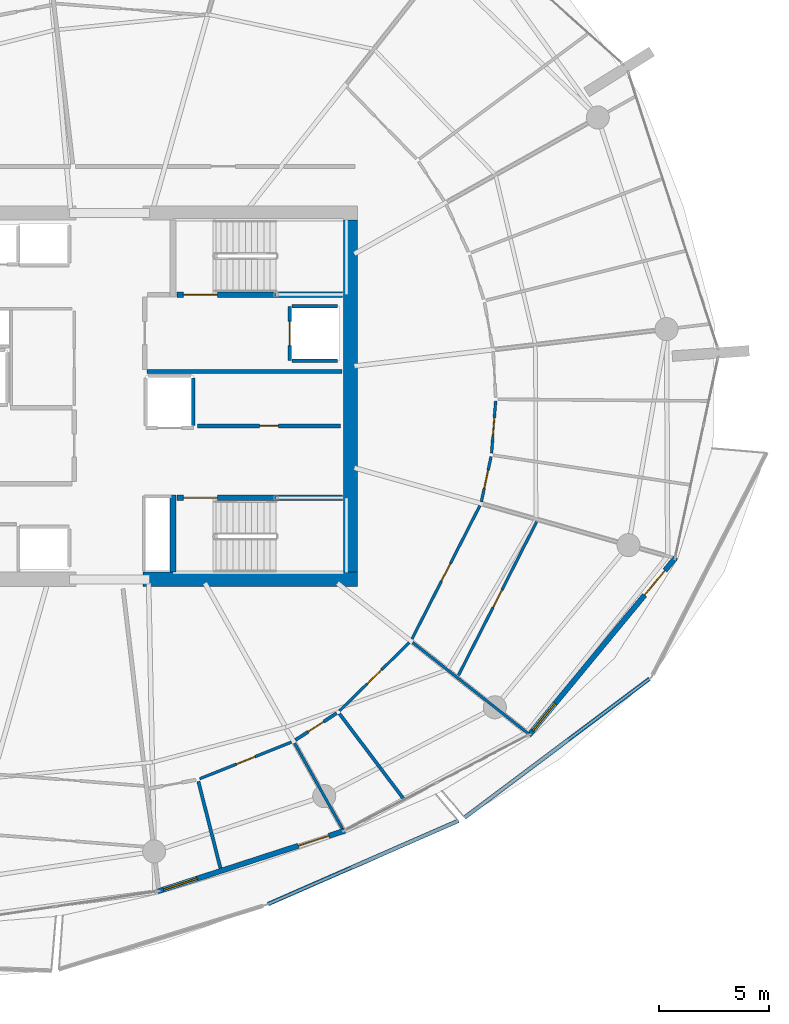
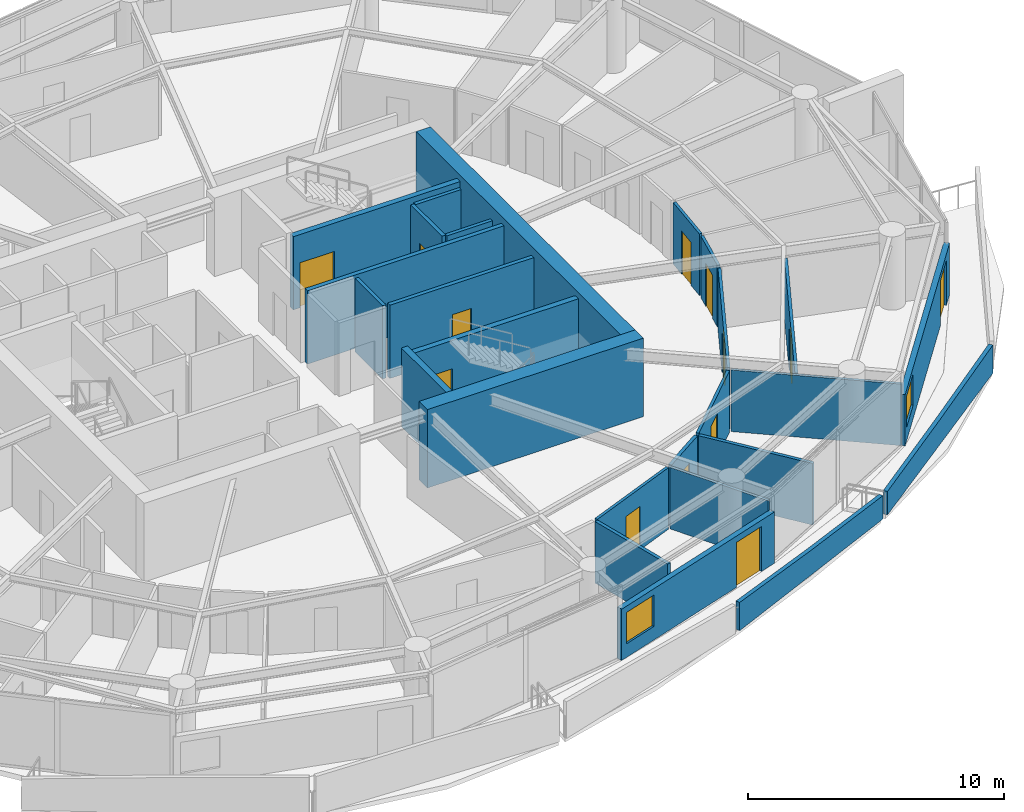
# One storey, part 13 of 20: 26 walls, 13 doors, 2 windows, 15 openings.
"""IFC4 building model written with IfcOpenShell, lengths in metres."""

import ifcopenshell
import ifcopenshell.guid

model = None  # the IFC model being written
_history = None  # IfcOwnerHistory: only IFC2X3 demands one
_inside = {}  # id of a spatial element -> (the spatial element, [elements in it])
_under = {}  # id of a project, library or spatial element -> (it, [spatial elements below it])
_declared = {}  # id of a project -> (the project, [libraries it declares])
_typed = {}  # id of a type object -> (the type object, [elements of that type])
_made_of = {}  # id of a material, layer set ... -> (it, [elements and type objects made of it])


def new_model(schema):
    """Start an empty IFC model of exactly this schema.

    Asked for "IFC4X3", IfcOpenShell would pick the latest addendum, in which some entities
    have other attributes; the version numbers below select the first issue.
    IFC2X3 requires an IfcOwnerHistory on every rooted entity: one is made here for all.
    """
    global model, _history
    if schema == "IFC4X3":
        model = ifcopenshell.file(schema_version=(4, 3, 0, 0))
    else:
        model = ifcopenshell.file(schema=schema)
    _inside.clear()
    _under.clear()
    _declared.clear()
    _typed.clear()
    _made_of.clear()
    _history = None
    if model.schema == "IFC2X3":
        org = make("IfcOrganization", Name="unknown")
        user = make(
            "IfcPersonAndOrganization",
            ThePerson=make("IfcPerson", FamilyName="unknown"),
            TheOrganization=org,
        )
        app = make(
            "IfcApplication",
            ApplicationDeveloper=org,
            Version="unknown",
            ApplicationFullName="unknown",
            ApplicationIdentifier="unknown",
        )
        _history = make(
            "IfcOwnerHistory",
            OwningUser=user,
            OwningApplication=app,
            ChangeAction="ADDED",
            CreationDate=0,
        )
    return model


def make(cls, **values):
    """One entity of the class cls with the attributes given. An attribute that is None is left unset."""
    return model.create_entity(
        cls, **{name: value for name, value in values.items() if value is not None}
    )


def rooted(cls, **values):
    """An entity with a GlobalId (a new one), such as an element, a storey or a relation."""
    return make(cls, GlobalId=ifcopenshell.guid.new(), OwnerHistory=_history, **values)


def si_unit(unit_type, name, prefix=None):
    """IfcSIUnit, for example si_unit("LENGTHUNIT", "METRE", prefix="MILLI")."""
    return make("IfcSIUnit", UnitType=unit_type, Prefix=prefix, Name=name)


def assignment(units):
    """IfcUnitAssignment: the units of a project."""
    return None if units is None else make("IfcUnitAssignment", Units=units)


def point(xyz):
    """IfcCartesianPoint."""
    return None if xyz is None else make("IfcCartesianPoint", Coordinates=xyz)


def direction(xyz):
    """IfcDirection."""
    return None if xyz is None else make("IfcDirection", DirectionRatios=xyz)


def frame(location, z_axis=None, x_axis=None):
    """IfcAxis2Placement3D, a coordinate frame: its origin and axes. An axis left out is left unset."""
    return make(
        "IfcAxis2Placement3D",
        Location=point(location),
        Axis=direction(z_axis),
        RefDirection=direction(x_axis),
    )


def frame_2d(location, x_axis=None):
    """IfcAxis2Placement2D, a coordinate frame in the plane: its origin and x axis."""
    return make(
        "IfcAxis2Placement2D", Location=point(location), RefDirection=direction(x_axis)
    )


def origin():
    """The frame at (0, 0, 0) with its axes left unset."""
    return frame((0.0, 0.0, 0.0))


def place(relative_to, where):
    """IfcLocalPlacement: puts the frame where relative to a parent placement (None: the world)."""
    return make(
        "IfcLocalPlacement", PlacementRelTo=relative_to, RelativePlacement=where
    )


def context(
    kind, dimensions, precision=None, world=None, true_north=None, identifier=None
):
    """IfcGeometricRepresentationContext, for example the 3D "Model" context."""
    return make(
        "IfcGeometricRepresentationContext",
        ContextIdentifier=identifier,
        ContextType=kind,
        CoordinateSpaceDimension=dimensions,
        Precision=precision,
        WorldCoordinateSystem=world,
        TrueNorth=true_north,
    )


def subcontext(parent, identifier, kind, view, scale=None):
    """IfcGeometricRepresentationSubContext, for example "Body" below "Model"."""
    return make(
        "IfcGeometricRepresentationSubContext",
        ContextIdentifier=identifier,
        ContextType=kind,
        ParentContext=parent,
        TargetScale=scale,
        TargetView=view,
    )


def project(units=None, contexts=None):
    """IfcProject with its units and contexts."""
    return rooted(
        "IfcProject",
        Name="project",
        RepresentationContexts=contexts,
        UnitsInContext=assignment(units),
    )


def spatial(cls, under=None, at=None, **own):
    """A site, building, storey or space (cls), placed at a placement, below another one or the project."""
    s = rooted(cls, ObjectPlacement=at, **own)
    if under is not None:
        _under.setdefault(under.id(), (under, []))[1].append(s)
    return s


def polyline(points):
    """IfcPolyline through the points."""
    return make("IfcPolyline", Points=[point(p) for p in points])


def profile(cls, at=None, kind="AREA", **sizes):
    """A parametric profile (cls). Its sizes go by their IFC names, for example OverallWidth=200.0."""
    return make(cls, ProfileType=kind, Position=at, **sizes)


def rectangle(**sizes):
    """IfcRectangleProfileDef."""
    return profile("IfcRectangleProfileDef", **sizes)


def outline(outer, holes=None, kind="AREA"):
    """IfcArbitraryClosedProfileDef: a profile drawn as a closed curve; with holes, ...WithVoids."""
    if holes is None:
        return make("IfcArbitraryClosedProfileDef", ProfileType=kind, OuterCurve=outer)
    return make(
        "IfcArbitraryProfileDefWithVoids",
        ProfileType=kind,
        OuterCurve=outer,
        InnerCurves=holes,
    )


def extrude(swept, where, along, depth):
    """IfcExtrudedAreaSolid: the profile swept, set in the frame where, extruded along a direction by depth."""
    return make(
        "IfcExtrudedAreaSolid",
        SweptArea=swept,
        Position=where,
        ExtrudedDirection=direction(along),
        Depth=depth,
    )


def shape(context_of_items, identifier, shape_type, items):
    """IfcShapeRepresentation: the items that make up one representation, for example the "Body"."""
    return make(
        "IfcShapeRepresentation",
        ContextOfItems=context_of_items,
        RepresentationIdentifier=identifier,
        RepresentationType=shape_type,
        Items=items,
    )


def material(Name=None, Category=None):
    """IfcMaterial."""
    return make("IfcMaterial", Name=Name, Category=Category)


def layer(
    of_material, thickness, ventilated=None, Name=None, Category=None, Priority=None
):
    """IfcMaterialLayer: one layer of a wall or slab, of a material (None: an air gap)."""
    return make(
        "IfcMaterialLayer",
        Material=of_material,
        LayerThickness=thickness,
        IsVentilated=ventilated,
        Name=Name,
        Category=Category,
        Priority=Priority,
    )


def layer_set(layers, Name=None):
    """IfcMaterialLayerSet."""
    return make("IfcMaterialLayerSet", MaterialLayers=layers, LayerSetName=Name)


def made_of(thing, what):
    """Note that an element or type object is made of a material, layer set ...; save() writes the relation."""
    if what is not None:
        _made_of.setdefault(what.id(), (what, []))[1].append(thing)
    return thing


def type_object(cls, material=None, **own):
    """A type object (cls), such as IfcWallType, which elements share."""
    return made_of(rooted(cls, **own), material)


def element(
    cls,
    number,
    at=None,
    inside=None,
    cuts=None,
    type_object=None,
    material=None,
    context=None,
    identifier="Body",
    shape_type=None,
    held_by="IfcProductDefinitionShape",
    body=None,
    shapes=None,
    **own,
):
    """One element of the class cls, such as IfcWall. Its Tag is "e" and its number.

    at: its placement. inside: the storey or other place that contains it. cuts: it is an
    opening in that element (IfcRelVoidsElement). A single representation is given by context,
    identifier, shape_type and body (its items); several are given by shapes. held_by: the class
    of the entity that holds the representations. save() writes the other relations.
    """
    e = rooted(cls, Tag="e%d" % number, ObjectPlacement=at, **own)
    if body is not None:
        shapes = [shape(context, identifier, shape_type, body)]
    if shapes is not None:
        e.Representation = make(held_by, Representations=shapes)
    if inside is not None:
        _inside.setdefault(inside.id(), (inside, []))[1].append(e)
    if cuts is not None:
        rooted(
            "IfcRelVoidsElement", RelatingBuildingElement=cuts, RelatedOpeningElement=e
        )
    if type_object is not None:
        _typed.setdefault(type_object.id(), (type_object, []))[1].append(e)
    return made_of(e, material)


def fill(opening, filler):
    """IfcRelFillsElement: the door or window that sits in an opening."""
    return rooted(
        "IfcRelFillsElement",
        RelatingOpeningElement=opening,
        RelatedBuildingElement=filler,
    )


def aggregate(whole, parts):
    """IfcRelAggregates: a whole, such as a stair, and the parts it consists of."""
    return rooted("IfcRelAggregates", RelatingObject=whole, RelatedObjects=parts)


def save(model, path):
    """Write the relations noted so far, then the file.

    IfcRelAggregates (storeys below a building ...), IfcRelContainedInSpatialStructure (elements
    in a storey), IfcRelDefinesByType, IfcRelAssociatesMaterial and IfcRelDeclares: one each for
    every whole, place, type object, material and project.
    """
    for whole, parts in _under.values():
        aggregate(whole, parts)
    for where, things in _inside.values():
        rooted(
            "IfcRelContainedInSpatialStructure",
            RelatedElements=things,
            RelatingStructure=where,
        )
    for kind, things in _typed.values():
        rooted("IfcRelDefinesByType", RelatedObjects=things, RelatingType=kind)
    for what, things in _made_of.values():
        rooted("IfcRelAssociatesMaterial", RelatedObjects=things, RelatingMaterial=what)
    for by, libraries in _declared.values():
        rooted("IfcRelDeclares", RelatingContext=by, RelatedDefinitions=libraries)
    model.write(path)


model = new_model("IFC4")

# Units and contexts
model_context = context("Model", 3, precision=1e-05, world=origin(), true_north=direction((0.0, 1.0)))
body_context = subcontext(model_context, "Body", "Model", "MODEL_VIEW")
ifc_project = project(units=[si_unit("LENGTHUNIT", "METRE"), si_unit("AREAUNIT", "SQUARE_METRE"), si_unit("VOLUMEUNIT", "CUBIC_METRE"), si_unit("PLANEANGLEUNIT", "RADIAN"), si_unit("MASSUNIT", "GRAM", prefix="KILO")], contexts=[model_context])

# Site, building, storey
site_placement = place(None, origin())
site = spatial("IfcSite", under=ifc_project, at=site_placement, CompositionType="ELEMENT")
building_placement = place(site_placement, origin())
building = spatial("IfcBuilding", under=site, at=building_placement, Name="Kazma Halo Residences", CompositionType="ELEMENT")
storey_placement = place(building_placement, frame((0.0, 0.0, 206.550048828125)))
storey = spatial("IfcBuildingStorey", under=building, at=storey_placement, Name="L52", CompositionType="ELEMENT", Elevation=206.550048828125)

# Walls
ifc_material_1 = material(Name="White Concrete C50/60 Balustrade", Category="concrete")
ifc_layer_1 = layer(ifc_material_1, 0.179931640625)
ifc_layer_set_1 = layer_set([ifc_layer_1], Name="White Concrete C50/60 Balustrade")
wall_type_1 = type_object("IfcWallType", Name="WL-BAL-WAVE-180", PredefinedType="PARAPET", material=ifc_layer_set_1)
wall_1_placement = place(storey_placement, frame((55.630126953125, 18.9033203125, 0.0), z_axis=(0.0, 0.0, 1.0), x_axis=(0.916057097562, 0.401047869968, 0.0)))
element("IfcWall", 1, at=wall_1_placement, inside=storey, type_object=wall_type_1, Name="L52 white wave balustrade wall SSE.2", PredefinedType="PARAPET", context=body_context, shape_type="SweptSolid", body=[
    extrude(outline(polyline([(0.0, 0.0), (9.44970703125, 0.0), (9.44970703125, 1.119873046875), (4.724853515625, 1.181884765625), (0.0, 1.347900390625), (0.0, 0.0)])), frame((0.0, 0.08984375, 0.0), z_axis=(0.0, -1.0, 0.0), x_axis=(1.0, 0.0, 0.0)), (0.0, 0.0, 1.0), 0.179931640625),
])
wall_2_placement = place(storey_placement, frame((64.568115234375, 22.839599609375, 0.0), z_axis=(0.0, 0.0, 1.0), x_axis=(0.799768695593, 0.600308282093, 0.0)))
element("IfcWall", 2, at=wall_2_placement, inside=storey, type_object=wall_type_1, Name="L52 white wave balustrade wall SE.1", PredefinedType="PARAPET", context=body_context, shape_type="SweptSolid", body=[
    extrude(outline(polyline([(0.0, 0.0), (10.515380859375, 0.0), (10.515380859375, 1.347900390625), (5.2578125, 1.181884765625), (0.0, 1.119873046875), (0.0, 0.0)])), frame((0.0, 0.08984375, 0.0), z_axis=(0.0, -1.0, 0.0), x_axis=(1.0, 0.0, 0.0)), (0.0, 0.0, 1.0), 0.179931640625),
])
ifc_material_2 = material(Name="Concrete C60/75", Category="concrete")
ifc_layer_2 = layer(ifc_material_2, 0.64990234375)
ifc_layer_set_2 = layer_set([ifc_layer_2], Name="Concrete C60/75")
wall_type_2 = type_object("IfcWallType", Name="WL-CORE-650", PredefinedType="SHEAR", material=ifc_layer_set_2)
wall_3_placement = place(storey_placement, frame((49.949951171875, 33.675048828125, 0.0), z_axis=(0.0, 0.0, 1.0), x_axis=(1.0, 0.0, 0.0)))
element("IfcWall", 3, at=wall_3_placement, inside=storey, type_object=wall_type_2, Name="L52 central core shear wall SE", PredefinedType="SHEAR", context=body_context, shape_type="SweptSolid", body=[
    extrude(rectangle(XDim=9.75, YDim=0.64990234375, at=frame_2d((4.875, 0.0))), origin(), (0.0, 0.0, 1.0), 3.75),
])
wall_4_placement = place(storey_placement, frame((59.375, 34.0, 0.0), z_axis=(0.0, 0.0, 1.0), x_axis=(0.0, 1.0, 0.0)))
element("IfcWall", 4, at=wall_4_placement, inside=storey, type_object=wall_type_2, Name="L52 central core shear wall E", PredefinedType="SHEAR", context=body_context, shape_type="SweptSolid", body=[
    extrude(rectangle(XDim=16.0, YDim=0.64990234375, at=frame_2d((8.0, 0.0))), origin(), (0.0, 0.0, 1.0), 3.75),
])
ifc_layer_3 = layer(ifc_material_2, 0.280029296875)
ifc_layer_set_3 = layer_set([ifc_layer_3], Name="Concrete C60/75")
wall_type_3 = type_object("IfcWallType", Name="WL-CORE-ST-280", PredefinedType="SHEAR", material=ifc_layer_set_3)
wall_5_placement = place(storey_placement, frame((51.31005859375, 34.0, 0.0), z_axis=(0.0, 0.0, 1.0), x_axis=(0.0, 1.0, 0.0)))
element("IfcWall", 5, at=wall_5_placement, inside=storey, type_object=wall_type_3, Name="L52 stairwell bearing wall ST03-W", PredefinedType="SHEAR", context=body_context, shape_type="SweptSolid", body=[
    extrude(rectangle(XDim=3.5, YDim=0.280029296875, at=frame_2d((1.75, 0.0))), origin(), (0.0, 0.0, 1.0), 3.75),
])

# Wall, openings, door, window
ifc_material_3 = material(Name="Insulated Pale-Metal Composite Wall")
ifc_layer_4 = layer(ifc_material_3, 0.239990234375)
ifc_layer_set_4 = layer_set([ifc_layer_4], Name="Insulated Pale-Metal Composite Wall")
wall_type_4 = type_object("IfcWallType", Name="WL-EXT-HOST-240", PredefinedType="SOLIDWALL", material=ifc_layer_set_4)
wall_6_placement = place(storey_placement, frame((50.61572265625, 19.481201171875, 0.0), z_axis=(0.0, 0.0, 1.0), x_axis=(0.951058543936, 0.309010753869, 0.0)))
wall_6 = element("IfcWall", 6, at=wall_6_placement, inside=storey, type_object=wall_type_4, Name="L52 exterior terrace-access wall B12", PredefinedType="SOLIDWALL", context=body_context, shape_type="SweptSolid", body=[
    extrude(rectangle(XDim=8.942138671875, YDim=0.239990234375, at=frame_2d((4.47119140625, 0.0))), origin(), (0.0, 0.0, 1.0), 2.449951171875),
])
opening_1_placement = place(wall_6_placement, frame((6.721923828125, 0.0, 0.0)))
opening_1 = element("IfcOpeningElement", 7, at=opening_1_placement, cuts=wall_6, Name="Opening DTR-1600", PredefinedType="OPENING", context=body_context, shape_type="SweptSolid", body=[
    extrude(rectangle(XDim=1.449951171875, YDim=2.14990234375, at=frame_2d((0.72509765625, 1.074951171875))), frame((0.0, 0.1298828125, 0.0), z_axis=(0.0, -1.0, 0.0), x_axis=(1.0, 0.0, 0.0)), (0.0, 0.0, 1.0), 0.260009765625),
])
opening_2_placement = place(wall_6_placement, frame((0.280029296875, 0.0, 0.64990234375)))
opening_2 = element("IfcOpeningElement", 8, at=opening_2_placement, cuts=wall_6, Name="Opening W-1800", PredefinedType="OPENING", context=body_context, shape_type="SweptSolid", body=[
    extrude(rectangle(XDim=1.60009765625, YDim=1.5, at=frame_2d((0.800048828125, 0.75))), frame((0.0, 0.1298828125, 0.0), z_axis=(0.0, -1.0, 0.0), x_axis=(1.0, 0.0, 0.0)), (0.0, 0.0, 1.0), 0.260009765625),
])
ifc_material_4 = material(Name="Aluminium AW-6063 T6 Double-Glazed Terrace Door", Category="aluminium")
door_type_1 = type_object("IfcDoorType", Name="DR-EXT-TERR-1600", OperationType="NOTDEFINED", PredefinedType="DOOR", material=ifc_material_4)
door_1_placement = place(opening_1_placement, origin())
door_1 = element("IfcDoor", 9, at=door_1_placement, inside=storey, type_object=door_type_1, Name="L52 B12 balcony terrace door", OperationType="DOUBLE_DOOR_SLIDING", OverallHeight=2.14990234375, OverallWidth=1.449951171875, PredefinedType="DOOR", context=body_context, shape_type="SweptSolid", body=[
    extrude(rectangle(XDim=1.449951171875, YDim=2.14990234375, at=frame_2d((0.72509765625, 1.074951171875))), frame((0.0, 0.02490234375, 0.0), z_axis=(0.0, -1.0, 0.0), x_axis=(1.0, 0.0, 0.0)), (0.0, 0.0, 1.0), 0.050048828125),
])
fill(opening_1, door_1)
ifc_material_5 = material(Name="Clear Triple-Silver Low-E Glass in Aluminium AW-6063 T6 Frame", Category="aluminium")
window_type = type_object("IfcWindowType", Name="WIN-RES-1800", PartitioningType="DOUBLE_PANEL_VERTICAL", PredefinedType="WINDOW", material=ifc_material_5)
window_1_placement = place(opening_2_placement, origin())
window_1 = element("IfcWindow", 10, at=window_1_placement, inside=storey, type_object=window_type, Name="L52 B12 apartment window", OverallHeight=1.5, OverallWidth=1.60009765625, PartitioningType="SINGLE_PANEL", PredefinedType="WINDOW", context=body_context, shape_type="SweptSolid", body=[
    extrude(rectangle(XDim=1.60009765625, YDim=1.5, at=frame_2d((0.800048828125, 0.75))), frame((0.0, 0.030029296875, 0.0), z_axis=(0.0, -1.0, 0.0), x_axis=(1.0, 0.0, 0.0)), (0.0, 0.0, 1.0), 0.06005859375),
])
fill(opening_2, window_1)

wall_7_placement = place(storey_placement, frame((67.485107421875, 26.57568359375, 0.0), z_axis=(0.0, 0.0, 1.0), x_axis=(0.636759394418, 0.771062561418, 0.0)))
wall_7 = element("IfcWall", 11, at=wall_7_placement, inside=storey, type_object=wall_type_4, Name="L52 exterior terrace-access wall B14", PredefinedType="SOLIDWALL", context=body_context, shape_type="SweptSolid", body=[
    extrude(rectangle(XDim=10.494384765625, YDim=0.239990234375, at=frame_2d((5.2470703125, 0.0))), origin(), (0.0, 0.0, 1.0), 2.449951171875),
])
opening_3_placement = place(wall_7_placement, frame((8.2744140625, 0.0, 0.0)))
opening_3 = element("IfcOpeningElement", 12, at=opening_3_placement, cuts=wall_7, Name="Opening DTR-1600", PredefinedType="OPENING", context=body_context, shape_type="SweptSolid", body=[
    extrude(rectangle(XDim=1.449951171875, YDim=2.14990234375, at=frame_2d((0.72509765625, 1.074951171875))), frame((0.0, 0.1298828125, 0.0), z_axis=(0.0, -1.0, 0.0), x_axis=(1.0, 0.0, 0.0)), (0.0, 0.0, 1.0), 0.260009765625),
])
opening_4_placement = place(wall_7_placement, frame((0.280029296875, 0.0, 0.64990234375)))
opening_4 = element("IfcOpeningElement", 13, at=opening_4_placement, cuts=wall_7, Name="Opening W-1800", PredefinedType="OPENING", context=body_context, shape_type="SweptSolid", body=[
    extrude(rectangle(XDim=1.60009765625, YDim=1.5, at=frame_2d((0.800048828125, 0.75))), frame((0.0, 0.1298828125, 0.0), z_axis=(0.0, -1.0, 0.0), x_axis=(1.0, 0.0, 0.0)), (0.0, 0.0, 1.0), 0.260009765625),
])
door_2_placement = place(opening_3_placement, origin())
door_2 = element("IfcDoor", 14, at=door_2_placement, inside=storey, type_object=door_type_1, Name="L52 B14 balcony terrace door", OperationType="DOUBLE_DOOR_SLIDING", OverallHeight=2.14990234375, OverallWidth=1.449951171875, PredefinedType="DOOR", context=body_context, shape_type="SweptSolid", body=[
    extrude(rectangle(XDim=1.449951171875, YDim=2.14990234375, at=frame_2d((0.72509765625, 1.074951171875))), frame((0.0, 0.02490234375, 0.0), z_axis=(0.0, -1.0, 0.0), x_axis=(1.0, 0.0, 0.0)), (0.0, 0.0, 1.0), 0.050048828125),
])
fill(opening_3, door_2)
window_2_placement = place(opening_4_placement, origin())
window_2 = element("IfcWindow", 15, at=window_2_placement, inside=storey, type_object=window_type, Name="L52 B14 apartment window", OverallHeight=1.5, OverallWidth=1.60009765625, PartitioningType="SINGLE_PANEL", PredefinedType="WINDOW", context=body_context, shape_type="SweptSolid", body=[
    extrude(rectangle(XDim=1.60009765625, YDim=1.5, at=frame_2d((0.800048828125, 0.75))), frame((0.0, 0.030029296875, 0.0), z_axis=(0.0, -1.0, 0.0), x_axis=(1.0, 0.0, 0.0)), (0.0, 0.0, 1.0), 0.06005859375),
])
fill(opening_4, window_2)

# Wall, opening, door
ifc_material_6 = material(Name="Fire-Rated Blockwork Masonry", Category="masonry")
ifc_layer_5 = layer(ifc_material_6, 0.199951171875)
ifc_layer_set_5 = layer_set([ifc_layer_5], Name="Fire-Rated Blockwork Masonry")
wall_type_5 = type_object("IfcWallType", Name="WL-FLB-200", PredefinedType="PARTITIONING", material=ifc_layer_set_5)
wall_8_placement = place(storey_placement, frame((56.6201171875, 46.080078125, 0.0), z_axis=(0.0, 0.0, 1.0), x_axis=(0.0, -1.0, 0.0)))
wall_8 = element("IfcWall", 16, at=wall_8_placement, inside=storey, type_object=wall_type_5, Name="L52 lift shaft FL-02 front wall", PredefinedType="PARTITIONING", context=body_context, shape_type="SweptSolid", body=[
    extrude(rectangle(XDim=2.4599609375, YDim=0.159912109375, at=frame_2d((1.22998046875, 0.0))), origin(), (0.0, 0.0, 1.0), 3.5),
])
opening_5_placement = place(wall_8_placement, frame((0.679931640625, 0.0, 0.0)))
opening_5 = element("IfcOpeningElement", 17, at=opening_5_placement, cuts=wall_8, Name="Opening LD-FL-02", PredefinedType="OPENING", context=body_context, shape_type="SweptSolid", body=[
    extrude(rectangle(XDim=1.10009765625, YDim=2.10009765625, at=frame_2d((0.550048828125, 1.050048828125))), frame((0.0, 0.08984375, 0.0), z_axis=(0.0, -1.0, 0.0), x_axis=(1.0, 0.0, 0.0)), (0.0, 0.0, 1.0), 0.179931640625),
])
ifc_material_7 = material(Name="Stainless Steel Fire-Rated", Category="steel")
door_type_2 = type_object("IfcDoorType", Name="DR-LIFT-SLD-1100", OperationType="DOUBLE_DOOR_SLIDING", PredefinedType="DOOR", material=ifc_material_7)
door_3_placement = place(opening_5_placement, origin())
door_3 = element("IfcDoor", 18, at=door_3_placement, inside=storey, type_object=door_type_2, Name="L52 lift FL-02 sliding landing door", OperationType="DOUBLE_DOOR_SLIDING", OverallHeight=2.10009765625, OverallWidth=1.10009765625, PredefinedType="DOOR", context=body_context, shape_type="SweptSolid", body=[
    extrude(rectangle(XDim=1.10009765625, YDim=2.10009765625, at=frame_2d((0.550048828125, 1.050048828125))), frame((0.0, 0.02490234375, 0.0), z_axis=(0.0, -1.0, 0.0), x_axis=(1.0, 0.0, 0.0)), (0.0, 0.0, 1.0), 0.050048828125),
])
fill(opening_5, door_3)

# Walls
for number, where, z_axis, x_axis, name in (
    (19, (56.719970703125, 46.080078125, 0.0), (0.0, 0.0, 1.0), (1.0, 0.0, 0.0), "L52 lift shaft FL-02 side wall N"),
    (20, (56.719970703125, 43.6201171875, 0.0), (0.0, 0.0, 1.0), (1.0, 0.0, 0.0), "L52 lift shaft FL-02 side wall S"),
):
    element("IfcWall", number, at=place(storey_placement, frame(where, z_axis=z_axis, x_axis=x_axis)), inside=storey, type_object=wall_type_5, Name=name, PredefinedType="PARTITIONING", context=body_context, shape_type="SweptSolid", body=[
        extrude(rectangle(XDim=2.06005859375, YDim=0.159912109375, at=frame_2d((1.030029296875, 0.0))), origin(), (0.0, 0.0, 1.0), 3.5),
    ])
wall_9_placement = place(storey_placement, frame((52.22998046875, 40.669921875, 0.0), z_axis=(0.0, 0.0, 1.0), x_axis=(0.0, 1.0, 0.0)))
element("IfcWall", 21, at=wall_9_placement, inside=storey, type_object=wall_type_5, Name="L52 lift shaft SV-01 side wall E", PredefinedType="PARTITIONING", context=body_context, shape_type="SweptSolid", body=[
    extrude(rectangle(XDim=2.16015625, YDim=0.159912109375, at=frame_2d((1.080078125, 0.0))), origin(), (0.0, 0.0, 1.0), 3.5),
])

# Wall, opening, door
wall_10_placement = place(storey_placement, frame((52.419921875, 40.64990234375, 0.0), z_axis=(0.0, 0.0, 1.0), x_axis=(1.0, 0.0, 0.0)))
wall_10 = element("IfcWall", 22, at=wall_10_placement, inside=storey, type_object=wall_type_5, Name="L52 core east reserve wall", PredefinedType="PARTITIONING", context=body_context, shape_type="SweptSolid", body=[
    extrude(rectangle(XDim=6.5, YDim=0.179931640625, at=frame_2d((3.25, 0.0))), origin(), (0.0, 0.0, 1.0), 3.5),
])
opening_6_placement = place(wall_10_placement, frame((2.824951171875, 0.0, 0.0)))
opening_6 = element("IfcOpeningElement", 23, at=opening_6_placement, cuts=wall_10, Name="Opening DS-850", PredefinedType="OPENING", context=body_context, shape_type="SweptSolid", body=[
    extrude(rectangle(XDim=0.85009765625, YDim=2.06005859375, at=frame_2d((0.425048828125, 1.030029296875))), frame((0.0, 0.099853515625, 0.0), z_axis=(0.0, -1.0, 0.0), x_axis=(1.0, 0.0, 0.0)), (0.0, 0.0, 1.0), 0.199951171875),
])
ifc_material_8 = material(Name="Painted Steel Access Leaf", Category="steel")
door_type_3 = type_object("IfcDoorType", Name="DR-SVC-850", OperationType="NOTDEFINED", PredefinedType="DOOR", material=ifc_material_8)
door_4_placement = place(opening_6_placement, origin())
door_4 = element("IfcDoor", 24, at=door_4_placement, inside=storey, type_object=door_type_3, Name="L52 core east reserve door", OperationType="SINGLE_SWING_LEFT", OverallHeight=2.06005859375, OverallWidth=0.85009765625, PredefinedType="DOOR", context=body_context, shape_type="SweptSolid", body=[
    extrude(rectangle(XDim=0.85009765625, YDim=2.06005859375, at=frame_2d((0.425048828125, 1.030029296875))), frame((0.0, 0.02490234375, 0.0), z_axis=(0.0, -1.0, 0.0), x_axis=(1.0, 0.0, 0.0)), (0.0, 0.0, 1.0), 0.050048828125),
])
fill(opening_6, door_4)

# Wall
wall_11_placement = place(storey_placement, frame((50.1201171875, 43.1201171875, 0.0), z_axis=(0.0, 0.0, 1.0), x_axis=(1.0, 0.0, 0.0)))
element("IfcWall", 25, at=wall_11_placement, inside=storey, type_object=wall_type_5, Name="L52 east firefighting lobby south smoke wall", PredefinedType="PARTITIONING", context=body_context, shape_type="SweptSolid", body=[
    extrude(rectangle(XDim=8.8798828125, YDim=0.199951171875, at=frame_2d((4.43994140625, 0.0))), origin(), (0.0, 0.0, 1.0), 3.5),
])

# Wall, opening, door
ifc_material_9 = material(Name="Gypsum Plasterboard Partition")
ifc_layer_6 = layer(ifc_material_9, 0.125)
ifc_layer_set_6 = layer_set([ifc_layer_6], Name="Gypsum Plasterboard Partition")
wall_type_6 = type_object("IfcWallType", Name="WL-PART-125", PredefinedType="PARTITIONING", material=ifc_layer_set_6)
wall_12_placement = place(storey_placement, frame((52.522705078125, 24.602783203125, 0.0), z_axis=(0.0, 0.0, 1.0), x_axis=(0.928686374253, 0.370866038182, 0.0)))
wall_12 = element("IfcWall", 26, at=wall_12_placement, inside=storey, type_object=wall_type_6, Name="L52 Apartment 4 Gourmet Kitchen hall wall", PredefinedType="PARTITIONING", context=body_context, shape_type="SweptSolid", body=[
    extrude(rectangle(XDim=4.49365234375, YDim=0.125, at=frame_2d((2.246826171875, 0.0))), origin(), (0.0, 0.0, 1.0), 2.93994140625),
])
opening_7_placement = place(wall_12_placement, frame((1.796875, 0.0, 0.0)))
opening_7 = element("IfcOpeningElement", 27, at=opening_7_placement, cuts=wall_12, Name="Opening DI-950", PredefinedType="OPENING", context=body_context, shape_type="SweptSolid", body=[
    extrude(rectangle(XDim=0.89990234375, YDim=2.080078125, at=frame_2d((0.449951171875, 1.0400390625))), frame((0.0, 0.072509765625, 0.0), z_axis=(0.0, -1.0, 0.0), x_axis=(1.0, 0.0, 0.0)), (0.0, 0.0, 1.0), 0.14501953125),
])
ifc_material_10 = material(Name="Timber Veneer Flush Leaf", Category="wood")
door_type_4 = type_object("IfcDoorType", Name="DR-INT-950", OperationType="NOTDEFINED", PredefinedType="DOOR", material=ifc_material_10)
door_5_placement = place(opening_7_placement, origin())
door_5 = element("IfcDoor", 28, at=door_5_placement, inside=storey, type_object=door_type_4, Name="L52 Apartment 4 Gourmet Kitchen door", OperationType="SINGLE_SWING_RIGHT", OverallHeight=2.080078125, OverallWidth=0.89990234375, PredefinedType="DOOR", context=body_context, shape_type="SweptSolid", body=[
    extrude(rectangle(XDim=0.89990234375, YDim=2.080078125, at=frame_2d((0.449951171875, 1.0400390625))), frame((0.0, 0.02490234375, 0.0), z_axis=(0.0, -1.0, 0.0), x_axis=(1.0, 0.0, 0.0)), (0.0, 0.0, 1.0), 0.050048828125),
])
fill(opening_7, door_5)

# Wall
wall_13_placement = place(storey_placement, frame((56.837646484375, 26.21923828125, 0.0), z_axis=(0.0, 0.0, 1.0), x_axis=(0.488608382443, -0.872503208365, 0.0)))
element("IfcWall", 29, at=wall_13_placement, inside=storey, type_object=wall_type_6, Name="L52 Apartment 4 radial partition 12", PredefinedType="PARTITIONING", context=body_context, shape_type="SweptSolid", body=[
    extrude(rectangle(XDim=4.448486328125, YDim=0.125, at=frame_2d((2.22412109375, 0.0))), origin(), (0.0, 0.0, 1.0), 2.93994140625),
])

# Wall, opening, door
wall_14_placement = place(storey_placement, frame((58.88671875, 27.696044921875, 0.0), z_axis=(0.0, 0.0, 1.0), x_axis=(0.714833426799, 0.699294767556, 0.0)))
wall_14 = element("IfcWall", 30, at=wall_14_placement, inside=storey, type_object=wall_type_6, Name="L52 Apartment 4 West Master Bedroom hall wall", PredefinedType="PARTITIONING", context=body_context, shape_type="SweptSolid", body=[
    extrude(rectangle(XDim=4.4306640625, YDim=0.125, at=frame_2d((2.21533203125, 0.0))), origin(), (0.0, 0.0, 1.0), 2.93994140625),
])
opening_8_placement = place(wall_14_placement, frame((1.765380859375, 0.0, 0.0)))
opening_8 = element("IfcOpeningElement", 31, at=opening_8_placement, cuts=wall_14, Name="Opening DI-950", PredefinedType="OPENING", context=body_context, shape_type="SweptSolid", body=[
    extrude(rectangle(XDim=0.89990234375, YDim=2.080078125, at=frame_2d((0.449951171875, 1.0400390625))), frame((0.0, 0.072509765625, 0.0), z_axis=(0.0, -1.0, 0.0), x_axis=(1.0, 0.0, 0.0)), (0.0, 0.0, 1.0), 0.14501953125),
])
door_6_placement = place(opening_8_placement, origin())
door_6 = element("IfcDoor", 32, at=door_6_placement, inside=storey, type_object=door_type_4, Name="L52 Apartment 4 West Master Bedroom door", OperationType="SINGLE_SWING_LEFT", OverallHeight=2.080078125, OverallWidth=0.89990234375, PredefinedType="DOOR", context=body_context, shape_type="SweptSolid", body=[
    extrude(rectangle(XDim=0.89990234375, YDim=2.080078125, at=frame_2d((0.449951171875, 1.0400390625))), frame((0.0, 0.02490234375, 0.0), z_axis=(0.0, -1.0, 0.0), x_axis=(1.0, 0.0, 0.0)), (0.0, 0.0, 1.0), 0.050048828125),
])
fill(opening_8, door_6)

# Wall
wall_15_placement = place(storey_placement, frame((62.2041015625, 30.802490234375, 0.0), z_axis=(0.0, 0.0, 1.0), x_axis=(0.785315561472, -0.619095686393, 0.0)))
element("IfcWall", 33, at=wall_15_placement, inside=storey, type_object=wall_type_6, Name="L52 Apartment 4 radial partition 13", PredefinedType="PARTITIONING", context=body_context, shape_type="SweptSolid", body=[
    extrude(rectangle(XDim=6.740234375, YDim=0.125, at=frame_2d((3.3701171875, 0.0))), origin(), (0.0, 0.0, 1.0), 2.93994140625),
])

# Wall, opening, door
wall_16_placement = place(storey_placement, frame((62.17529296875, 30.96240234375, 0.0), z_axis=(0.0, 0.0, 1.0), x_axis=(0.454009704529, 0.890996738599, 0.0)))
wall_16 = element("IfcWall", 34, at=wall_16_placement, inside=storey, type_object=wall_type_6, Name="L52 Apartment 4 North Study hall wall", PredefinedType="PARTITIONING", context=body_context, shape_type="SweptSolid", body=[
    extrude(rectangle(XDim=6.798095703125, YDim=0.125, at=frame_2d((3.39892578125, 0.0))), origin(), (0.0, 0.0, 1.0), 2.93994140625),
])
opening_9_placement = place(wall_16_placement, frame((2.94921875, 0.0, 0.0)))
opening_9 = element("IfcOpeningElement", 35, at=opening_9_placement, cuts=wall_16, Name="Opening DI-950", PredefinedType="OPENING", context=body_context, shape_type="SweptSolid", body=[
    extrude(rectangle(XDim=0.89990234375, YDim=2.080078125, at=frame_2d((0.449951171875, 1.0400390625))), frame((0.0, 0.072509765625, 0.0), z_axis=(0.0, -1.0, 0.0), x_axis=(1.0, 0.0, 0.0)), (0.0, 0.0, 1.0), 0.14501953125),
])
door_7_placement = place(opening_9_placement, origin())
door_7 = element("IfcDoor", 36, at=door_7_placement, inside=storey, type_object=door_type_4, Name="L52 Apartment 4 North Study door", OperationType="SINGLE_SWING_RIGHT", OverallHeight=2.080078125, OverallWidth=0.89990234375, PredefinedType="DOOR", context=body_context, shape_type="SweptSolid", body=[
    extrude(rectangle(XDim=0.89990234375, YDim=2.080078125, at=frame_2d((0.449951171875, 1.0400390625))), frame((0.0, 0.02490234375, 0.0), z_axis=(0.0, -1.0, 0.0), x_axis=(1.0, 0.0, 0.0)), (0.0, 0.0, 1.0), 0.050048828125),
])
fill(opening_9, door_7)

wall_17_placement = place(storey_placement, frame((64.283203125, 29.30078125, 0.0), z_axis=(0.0, 0.0, 1.0), x_axis=(0.453997104185, 0.891003159025, 0.0)))
wall_17 = element("IfcWall", 37, at=wall_17_placement, inside=storey, type_object=wall_type_6, Name="L52 Apartment 4 South Master Bedroom divider wall", PredefinedType="PARTITIONING", context=body_context, shape_type="SweptSolid", body=[
    extrude(rectangle(XDim=7.845458984375, YDim=0.125, at=frame_2d((3.9228515625, 0.0))), origin(), (0.0, 0.0, 1.0), 2.93994140625),
])
opening_10_placement = place(wall_17_placement, frame((3.472900390625, 0.0, 0.0)))
opening_10 = element("IfcOpeningElement", 38, at=opening_10_placement, cuts=wall_17, Name="Opening DI-950", PredefinedType="OPENING", context=body_context, shape_type="SweptSolid", body=[
    extrude(rectangle(XDim=0.89990234375, YDim=2.080078125, at=frame_2d((0.449951171875, 1.0400390625))), frame((0.0, 0.072509765625, 0.0), z_axis=(0.0, -1.0, 0.0), x_axis=(1.0, 0.0, 0.0)), (0.0, 0.0, 1.0), 0.14501953125),
])
door_8_placement = place(opening_10_placement, origin())
door_8 = element("IfcDoor", 39, at=door_8_placement, inside=storey, type_object=door_type_4, Name="L52 Apartment 4 South Master Bedroom door", OperationType="SINGLE_SWING_LEFT", OverallHeight=2.080078125, OverallWidth=0.89990234375, PredefinedType="DOOR", context=body_context, shape_type="SweptSolid", body=[
    extrude(rectangle(XDim=0.89990234375, YDim=2.080078125, at=frame_2d((0.449951171875, 1.0400390625))), frame((0.0, 0.02490234375, 0.0), z_axis=(0.0, -1.0, 0.0), x_axis=(1.0, 0.0, 0.0)), (0.0, 0.0, 1.0), 0.050048828125),
])
fill(opening_10, door_8)

wall_18_placement = place(storey_placement, frame((65.32861328125, 37.19580078125, 0.0), z_axis=(0.0, 0.0, 1.0), x_axis=(0.21043464324, 0.977607928019, 0.0)))
wall_18 = element("IfcWall", 40, at=wall_18_placement, inside=storey, type_object=wall_type_6, Name="L52 Apartment 4 Inner Bedroom hall wall", PredefinedType="PARTITIONING", context=body_context, shape_type="SweptSolid", body=[
    extrude(rectangle(XDim=2.0986328125, YDim=0.125, at=frame_2d((1.04931640625, 0.0))), origin(), (0.0, 0.0, 1.0), 2.93994140625),
])
opening_11_placement = place(wall_18_placement, frame((0.62451171875, 0.0, 0.0)))
opening_11 = element("IfcOpeningElement", 41, at=opening_11_placement, cuts=wall_18, Name="Opening DB-900", PredefinedType="OPENING", context=body_context, shape_type="SweptSolid", body=[
    extrude(rectangle(XDim=0.85009765625, YDim=2.06005859375, at=frame_2d((0.425048828125, 1.030029296875))), frame((0.0, 0.072509765625, 0.0), z_axis=(0.0, -1.0, 0.0), x_axis=(1.0, 0.0, 0.0)), (0.0, 0.0, 1.0), 0.14501953125),
])
ifc_material_11 = material(Name="Moisture-Sealed Timber Leaf", Category="wood")
door_type_5 = type_object("IfcDoorType", Name="DR-BTH-900", OperationType="NOTDEFINED", PredefinedType="DOOR", material=ifc_material_11)
door_9_placement = place(opening_11_placement, origin())
door_9 = element("IfcDoor", 42, at=door_9_placement, inside=storey, type_object=door_type_5, Name="L52 Apartment 4 Inner Bedroom door", OperationType="SINGLE_SWING_RIGHT", OverallHeight=2.06005859375, OverallWidth=0.85009765625, PredefinedType="DOOR", context=body_context, shape_type="SweptSolid", body=[
    extrude(rectangle(XDim=0.85009765625, YDim=2.06005859375, at=frame_2d((0.425048828125, 1.030029296875))), frame((0.0, 0.02490234375, 0.0), z_axis=(0.0, -1.0, 0.0), x_axis=(1.0, 0.0, 0.0)), (0.0, 0.0, 1.0), 0.050048828125),
])
fill(opening_11, door_9)

wall_19_placement = place(storey_placement, frame((65.79345703125, 39.405517578125, 0.0), z_axis=(0.0, 0.0, 1.0), x_axis=(0.078351129542, 0.996925824974, 0.0)))
wall_19 = element("IfcWall", 43, at=wall_19_placement, inside=storey, type_object=wall_type_6, Name="L52 Apartment 4 Outer Study hall wall", PredefinedType="PARTITIONING", context=body_context, shape_type="SweptSolid", body=[
    extrude(rectangle(XDim=2.380615234375, YDim=0.125, at=frame_2d((1.1904296875, 0.0))), origin(), (0.0, 0.0, 1.0), 2.93994140625),
])
opening_12_placement = place(wall_19_placement, frame((0.765380859375, 0.0, 0.0)))
opening_12 = element("IfcOpeningElement", 44, at=opening_12_placement, cuts=wall_19, Name="Opening DB-900", PredefinedType="OPENING", context=body_context, shape_type="SweptSolid", body=[
    extrude(rectangle(XDim=0.85009765625, YDim=2.06005859375, at=frame_2d((0.425048828125, 1.030029296875))), frame((0.0, 0.072509765625, 0.0), z_axis=(0.0, -1.0, 0.0), x_axis=(1.0, 0.0, 0.0)), (0.0, 0.0, 1.0), 0.14501953125),
])
door_10_placement = place(opening_12_placement, origin())
door_10 = element("IfcDoor", 45, at=door_10_placement, inside=storey, type_object=door_type_5, Name="L52 Apartment 4 Outer Study door", OperationType="SINGLE_SWING_LEFT", OverallHeight=2.06005859375, OverallWidth=0.85009765625, PredefinedType="DOOR", context=body_context, shape_type="SweptSolid", body=[
    extrude(rectangle(XDim=0.85009765625, YDim=2.06005859375, at=frame_2d((0.425048828125, 1.030029296875))), frame((0.0, 0.02490234375, 0.0), z_axis=(0.0, -1.0, 0.0), x_axis=(1.0, 0.0, 0.0)), (0.0, 0.0, 1.0), 0.050048828125),
])
fill(opening_12, door_10)

ifc_material_12 = material(Name="Concrete C50/60", Category="concrete")
ifc_layer_7 = layer(ifc_material_12, 0.25)
ifc_layer_set_7 = layer_set([ifc_layer_7], Name="Concrete C50/60")
wall_type_7 = type_object("IfcWallType", Name="WL-SHF-250", PredefinedType="SOLIDWALL", material=ifc_layer_set_7)
wall_20_placement = place(storey_placement, frame((51.47998046875, 46.6201171875, 0.0), z_axis=(0.0, 0.0, 1.0), x_axis=(1.0, 0.0, 0.0)))
wall_20 = element("IfcWall", 46, at=wall_20_placement, inside=storey, type_object=wall_type_7, Name="L52 exit stair ST-02 enclosure wall", PredefinedType="SOLIDWALL", context=body_context, shape_type="SweptSolid", body=[
    extrude(rectangle(XDim=7.5400390625, YDim=0.25, at=frame_2d((3.77001953125, 0.0))), origin(), (0.0, 0.0, 1.0), 3.5),
])
opening_13_placement = place(wall_20_placement, frame((0.300048828125, 0.0, 0.0)))
opening_13 = element("IfcOpeningElement", 47, at=opening_13_placement, cuts=wall_20, Name="Opening D-ST2", PredefinedType="OPENING", context=body_context, shape_type="SweptSolid", body=[
    extrude(rectangle(XDim=1.550048828125, YDim=2.14990234375, at=frame_2d((0.77490234375, 1.074951171875))), frame((0.0, 0.135009765625, 0.0), z_axis=(0.0, -1.0, 0.0), x_axis=(1.0, 0.0, 0.0)), (0.0, 0.0, 1.0), 0.27001953125),
])
ifc_material_13 = material(Name="Fire-Rated Double Steel Leaf", Category="steel")
door_type_6 = type_object("IfcDoorType", Name="DR-FD90-1550", OperationType="NOTDEFINED", PredefinedType="DOOR", material=ifc_material_13)
door_11_placement = place(opening_13_placement, origin())
door_11 = element("IfcDoor", 48, at=door_11_placement, inside=storey, type_object=door_type_6, Name="L52 exit stair ST-02 fire door", OperationType="DOUBLE_DOOR_SINGLE_SWING", OverallHeight=2.14990234375, OverallWidth=1.550048828125, PredefinedType="DOOR", context=body_context, shape_type="SweptSolid", body=[
    extrude(rectangle(XDim=1.550048828125, YDim=2.14990234375, at=frame_2d((0.77490234375, 1.074951171875))), frame((0.0, 0.02490234375, 0.0), z_axis=(0.0, -1.0, 0.0), x_axis=(1.0, 0.0, 0.0)), (0.0, 0.0, 1.0), 0.050048828125),
])
fill(opening_13, door_11)

wall_21_placement = place(storey_placement, frame((51.47998046875, 37.3798828125, 0.0), z_axis=(0.0, 0.0, 1.0), x_axis=(1.0, 0.0, 0.0)))
wall_21 = element("IfcWall", 49, at=wall_21_placement, inside=storey, type_object=wall_type_7, Name="L52 exit stair ST-03 enclosure wall", PredefinedType="SOLIDWALL", context=body_context, shape_type="SweptSolid", body=[
    extrude(rectangle(XDim=7.5400390625, YDim=0.25, at=frame_2d((3.77001953125, 0.0))), origin(), (0.0, 0.0, 1.0), 3.5),
])
opening_14_placement = place(wall_21_placement, frame((0.300048828125, 0.0, 0.0)))
opening_14 = element("IfcOpeningElement", 50, at=opening_14_placement, cuts=wall_21, Name="Opening D-ST3", PredefinedType="OPENING", context=body_context, shape_type="SweptSolid", body=[
    extrude(rectangle(XDim=1.550048828125, YDim=2.14990234375, at=frame_2d((0.77490234375, 1.074951171875))), frame((0.0, 0.135009765625, 0.0), z_axis=(0.0, -1.0, 0.0), x_axis=(1.0, 0.0, 0.0)), (0.0, 0.0, 1.0), 0.27001953125),
])
door_12_placement = place(opening_14_placement, origin())
door_12 = element("IfcDoor", 51, at=door_12_placement, inside=storey, type_object=door_type_6, Name="L52 exit stair ST-03 fire door", OperationType="DOUBLE_DOOR_SINGLE_SWING", OverallHeight=2.14990234375, OverallWidth=1.550048828125, PredefinedType="DOOR", context=body_context, shape_type="SweptSolid", body=[
    extrude(rectangle(XDim=1.550048828125, YDim=2.14990234375, at=frame_2d((0.77490234375, 1.074951171875))), frame((0.0, 0.02490234375, 0.0), z_axis=(0.0, -1.0, 0.0), x_axis=(1.0, 0.0, 0.0)), (0.0, 0.0, 1.0), 0.050048828125),
])
fill(opening_14, door_12)

# Wall
ifc_material_14 = material(Name="Moisture-Resistant Gypsum")
ifc_layer_8 = layer(ifc_material_14, 0.14990234375)
ifc_layer_set_8 = layer_set([ifc_layer_8], Name="Moisture-Resistant Gypsum")
wall_type_8 = type_object("IfcWallType", Name="WL-WET-150", PredefinedType="PARTITIONING", material=ifc_layer_set_8)
wall_22_placement = place(storey_placement, frame((52.461181640625, 24.482177734375, 0.0), z_axis=(0.0, 0.0, 1.0), x_axis=(0.246781707717, -0.969071095811, 0.0)))
element("IfcWall", 52, at=wall_22_placement, inside=storey, type_object=wall_type_8, Name="L52 Apartment 4 Guest Bathroom side wall", PredefinedType="PARTITIONING", context=body_context, shape_type="SweptSolid", body=[
    extrude(rectangle(XDim=4.070068359375, YDim=0.14990234375, at=frame_2d((2.03515625, 0.0))), origin(), (0.0, 0.0, 1.0), 2.93994140625),
])

# Wall, opening, door
wall_23_placement = place(storey_placement, frame((56.87255859375, 26.361083984375, 0.0), z_axis=(0.0, 0.0, 1.0), x_axis=(0.837497725381, 0.54644081105, 0.0)))
wall_23 = element("IfcWall", 53, at=wall_23_placement, inside=storey, type_object=wall_type_8, Name="L52 Apartment 4 East En-Suite Bathroom hall wall", PredefinedType="PARTITIONING", context=body_context, shape_type="SweptSolid", body=[
    extrude(rectangle(XDim=2.238037109375, YDim=0.14990234375, at=frame_2d((1.119140625, 0.0))), origin(), (0.0, 0.0, 1.0), 2.93994140625),
])
opening_15_placement = place(wall_23_placement, frame((0.694091796875, 0.0, 0.0)))
opening_15 = element("IfcOpeningElement", 54, at=opening_15_placement, cuts=wall_23, Name="Opening DB-900", PredefinedType="OPENING", context=body_context, shape_type="SweptSolid", body=[
    extrude(rectangle(XDim=0.85009765625, YDim=2.06005859375, at=frame_2d((0.425048828125, 1.030029296875))), frame((0.0, 0.0849609375, 0.0), z_axis=(0.0, -1.0, 0.0), x_axis=(1.0, 0.0, 0.0)), (0.0, 0.0, 1.0), 0.169921875),
])
door_13_placement = place(opening_15_placement, origin())
door_13 = element("IfcDoor", 55, at=door_13_placement, inside=storey, type_object=door_type_5, Name="L52 Apartment 4 East En-Suite Bathroom door", OperationType="SINGLE_SWING_LEFT", OverallHeight=2.06005859375, OverallWidth=0.85009765625, PredefinedType="DOOR", context=body_context, shape_type="SweptSolid", body=[
    extrude(rectangle(XDim=0.85009765625, YDim=2.06005859375, at=frame_2d((0.425048828125, 1.030029296875))), frame((0.0, 0.02490234375, 0.0), z_axis=(0.0, -1.0, 0.0), x_axis=(1.0, 0.0, 0.0)), (0.0, 0.0, 1.0), 0.050048828125),
])
fill(opening_15, door_13)

# Wall
wall_24_placement = place(storey_placement, frame((58.87646484375, 27.561279296875, 0.0), z_axis=(0.0, 0.0, 1.0), x_axis=(0.601652635262, -0.798757852219, 0.0)))
element("IfcWall", 56, at=wall_24_placement, inside=storey, type_object=wall_type_8, Name="L52 Apartment 4 East En-Suite Bathroom side wall", PredefinedType="PARTITIONING", context=body_context, shape_type="SweptSolid", body=[
    extrude(rectangle(XDim=4.865234375, YDim=0.14990234375, at=frame_2d((2.4326171875, 0.0))), origin(), (0.0, 0.0, 1.0), 2.93994140625),
])

save(model, "model.ifc")
